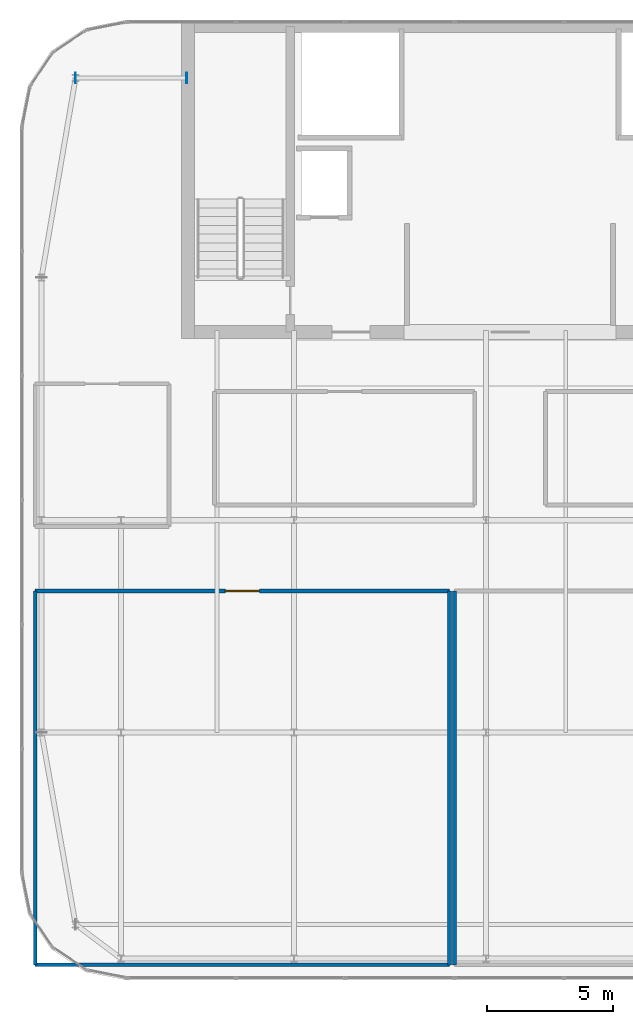
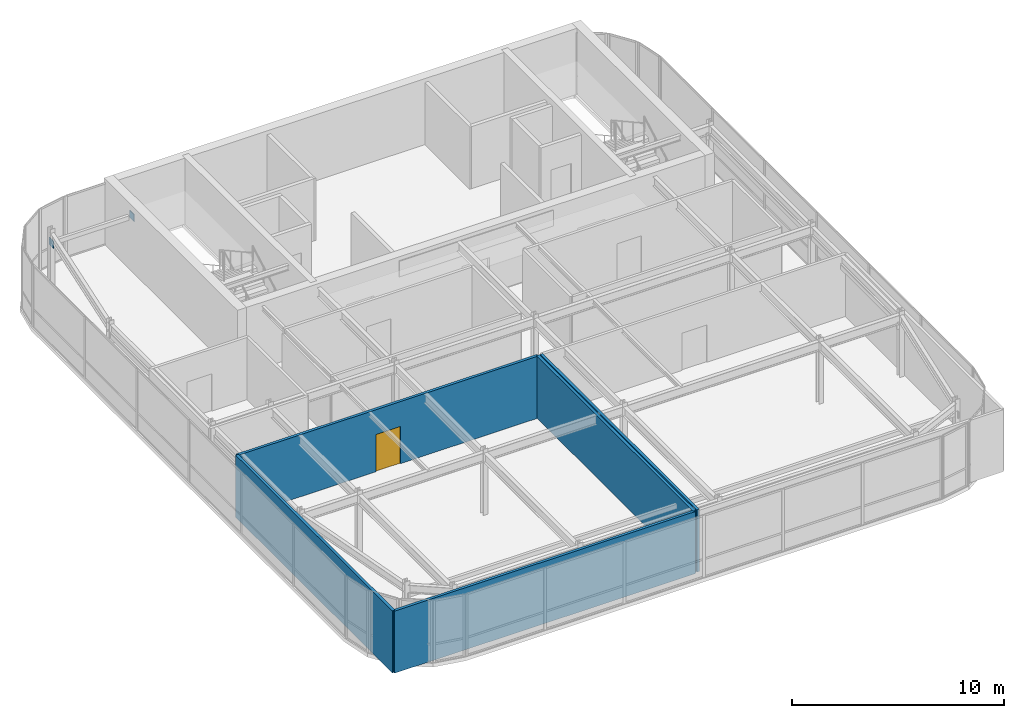
# One storey, part 33 of 36: 5 walls, 2 plates, 1 door, 1 opening.
"""IFC4 building model written with IfcOpenShell, lengths in metres."""

from ifc_helpers import new_model, si_unit, direction, frame, frame_2d, origin, origin_2d, place, context, subcontext, project, spatial, rectangle, extrude, source, transform, mapped, material, layer, layer_set, type_object, type_shapes, element, fill, save


model = new_model("IFC4")

# Units and contexts
model_context = context("Model", 3, precision=1e-05, world=origin(), true_north=direction((0.0, 1.0)))
body_context = subcontext(model_context, "Body", "Model", "MODEL_VIEW")
ifc_project = project(units=[si_unit("LENGTHUNIT", "METRE"), si_unit("AREAUNIT", "SQUARE_METRE"), si_unit("VOLUMEUNIT", "CUBIC_METRE"), si_unit("PLANEANGLEUNIT", "RADIAN"), si_unit("MASSUNIT", "GRAM", prefix="KILO")], contexts=[model_context])

# Site, building, storey
site_placement = place(None, origin())
site = spatial("IfcSite", under=ifc_project, at=site_placement, CompositionType="ELEMENT")
building_placement = place(site_placement, origin())
building = spatial("IfcBuilding", under=site, at=building_placement, Name="Tolvann Quenvar Hotel", CompositionType="ELEMENT")
storey_placement = place(building_placement, frame((0.0, 0.0, 294.75)))
storey = spatial("IfcBuildingStorey", under=building, at=storey_placement, Name="L78", CompositionType="ELEMENT", Elevation=294.75)

# Plates
ifc_material_1 = material(Name="Steel Grade 350", Category="steel")
ifc_layer_1 = layer(ifc_material_1, 0.02490234375)
ifc_layer_set_1 = layer_set([ifc_layer_1], Name="Steel Grade 350")
plate_type = type_object("IfcPlateType", Name="PLT_ENDCAP_25", PredefinedType="SHEET", material=ifc_layer_set_1)
shared_shape_1 = source(origin(), body_context, "Body", "SweptSolid", [
    extrude(rectangle(XDim=0.02490234375, YDim=0.419921875, at=origin_2d()), origin(), (0.0, 0.0, 1.0), 0.419921875),
])
type_shapes(plate_type, [shared_shape_1])
for number, where, z_axis, x_axis, name in (
    (1, (5.800048828125, 41.89990234375, 2.719970703125), (0.0, 0.0, 1.0), (1.0, 0.0, 0.0), "Crown Ring End Cap Plate EC-1 (L78-4-1)"),
    (2, (10.199951171875, 41.89990234375, 2.719970703125), (0.0, 0.0, 1.0), (1.0, 0.0, 0.0), "Crown Ring End Cap Plate EC-1 (L78-4-2)"),
):
    element("IfcPlate", number, at=place(storey_placement, frame(where, z_axis=z_axis, x_axis=x_axis)), inside=storey, type_object=plate_type, Name=name, PredefinedType="SHEET", context=body_context, shape_type="MappedRepresentation", body=[
        mapped(shared_shape_1, transform((0.0, 0.0, 0.0), x_axis=(1.0, 0.0, 0.0), y_axis=(0.0, 1.0, 0.0), z_axis=(0.0, 0.0, 1.0), scale=1.0)),
    ])

# Wall
ifc_material_2 = material(Name="Acoustic twin-stud fire-rated gypsum plasterboard partition")
ifc_layer_2 = layer(ifc_material_2, 0.14990234375)
ifc_layer_set_2 = layer_set([ifc_layer_2], Name="Acoustic twin-stud fire-rated gypsum plasterboard partition")
wall_type = type_object("IfcWallType", Name="WALL_PART_SUITE_150", PredefinedType="PARTITIONING", material=ifc_layer_set_2)
wall_1_placement = place(storey_placement, frame((4.199951171875, 6.800048828125, 0.0), z_axis=(0.0, 0.0, 1.0), x_axis=(1.0, 0.0, 0.0)))
element("IfcWall", 3, at=wall_1_placement, inside=storey, type_object=wall_type, Name="Interior Partition PT-SPC-L78-CWCHIL-S", PredefinedType="PARTITIONING", context=body_context, shape_type="SweptSolid", body=[
    extrude(rectangle(XDim=16.400146484375, YDim=0.14990234375, at=frame_2d((8.2001953125, 0.0))), origin(), (0.0, 0.0, 1.0), 3.580078125),
])

# Wall, opening, door
wall_2_placement = place(storey_placement, frame((4.199951171875, 21.60009765625, 0.0), z_axis=(0.0, 0.0, 1.0), x_axis=(1.0, 0.0, 0.0)))
wall_2 = element("IfcWall", 4, at=wall_2_placement, inside=storey, type_object=wall_type, Name="Interior Partition PT-SPC-L78-CWCHIL-N", PredefinedType="PARTITIONING", context=body_context, shape_type="SweptSolid", body=[
    extrude(rectangle(XDim=16.400146484375, YDim=0.14990234375, at=frame_2d((8.2001953125, 0.0))), origin(), (0.0, 0.0, 1.0), 3.580078125),
])
opening_placement = place(wall_2_placement, frame((7.52490234375, 0.0, 0.0)))
opening = element("IfcOpeningElement", 5, at=opening_placement, cuts=wall_2, Name="Opening PD-01", PredefinedType="OPENING", context=body_context, shape_type="SweptSolid", body=[
    extrude(rectangle(XDim=1.35009765625, YDim=2.14990234375, at=frame_2d((0.675048828125, 1.074951171875))), frame((0.0, 0.0849609375, 0.0), z_axis=(0.0, -1.0, 0.0), x_axis=(1.0, 0.0, 0.0)), (0.0, 0.0, 1.0), 0.169921875),
])
ifc_material_3 = material(Name="Pressed galvanised steel fire-rated door set", Category="steel")
door_type = type_object("IfcDoorType", Name="DOOR_PLANT_1350", OperationType="NOTDEFINED", PredefinedType="DOOR", material=ifc_material_3)
shared_shape_2 = source(origin(), body_context, "Body", "SweptSolid", [
    extrude(rectangle(XDim=1.35009765625, YDim=2.14990234375, at=frame_2d((0.675048828125, 1.074951171875))), frame((0.0, 0.02490234375, 0.0), z_axis=(0.0, -1.0, 0.0), x_axis=(1.0, 0.0, 0.0)), (0.0, 0.0, 1.0), 0.050048828125),
])
type_shapes(door_type, [shared_shape_2])
door_placement = place(opening_placement, origin())
door = element("IfcDoor", 6, at=door_placement, inside=storey, type_object=door_type, Name="Interior Door DOOR-SPC-L78-CWCHIL", OperationType="DOUBLE_DOOR_SINGLE_SWING", OverallHeight=2.14990234375, OverallWidth=1.35009765625, PredefinedType="DOOR", context=body_context, shape_type="MappedRepresentation", body=[
    mapped(shared_shape_2, transform((0.0, 0.0, 0.0), x_axis=(1.0, 0.0, 0.0), y_axis=(0.0, 1.0, 0.0), z_axis=(0.0, 0.0, 1.0), scale=1.0)),
])
fill(opening, door)

# Walls
for number, where, z_axis, x_axis, name in (
    (7, (4.199951171875, 6.800048828125, 0.0), (0.0, 0.0, 1.0), (0.0, 1.0, 0.0), "Interior Partition PT-SPC-L78-CWCHIL-W"),
    (8, (20.60009765625, 6.800048828125, 0.0), (0.0, 0.0, 1.0), (0.0, 1.0, 0.0), "Interior Partition PT-SPC-L78-CWCHIL-E"),
    (9, (20.800048828125, 6.800048828125, 0.0), (0.0, 0.0, 1.0), (0.0, 1.0, 0.0), "Interior Partition PT-SPC-L78-LMR-W"),
):
    element("IfcWall", number, at=place(storey_placement, frame(where, z_axis=z_axis, x_axis=x_axis)), inside=storey, type_object=wall_type, Name=name, PredefinedType="PARTITIONING", context=body_context, shape_type="SweptSolid", body=[
        extrude(rectangle(XDim=14.800048828125, YDim=0.14990234375, at=frame_2d((7.39990234375, 0.0))), origin(), (0.0, 0.0, 1.0), 3.580078125),
    ])

save(model, "model.ifc")
